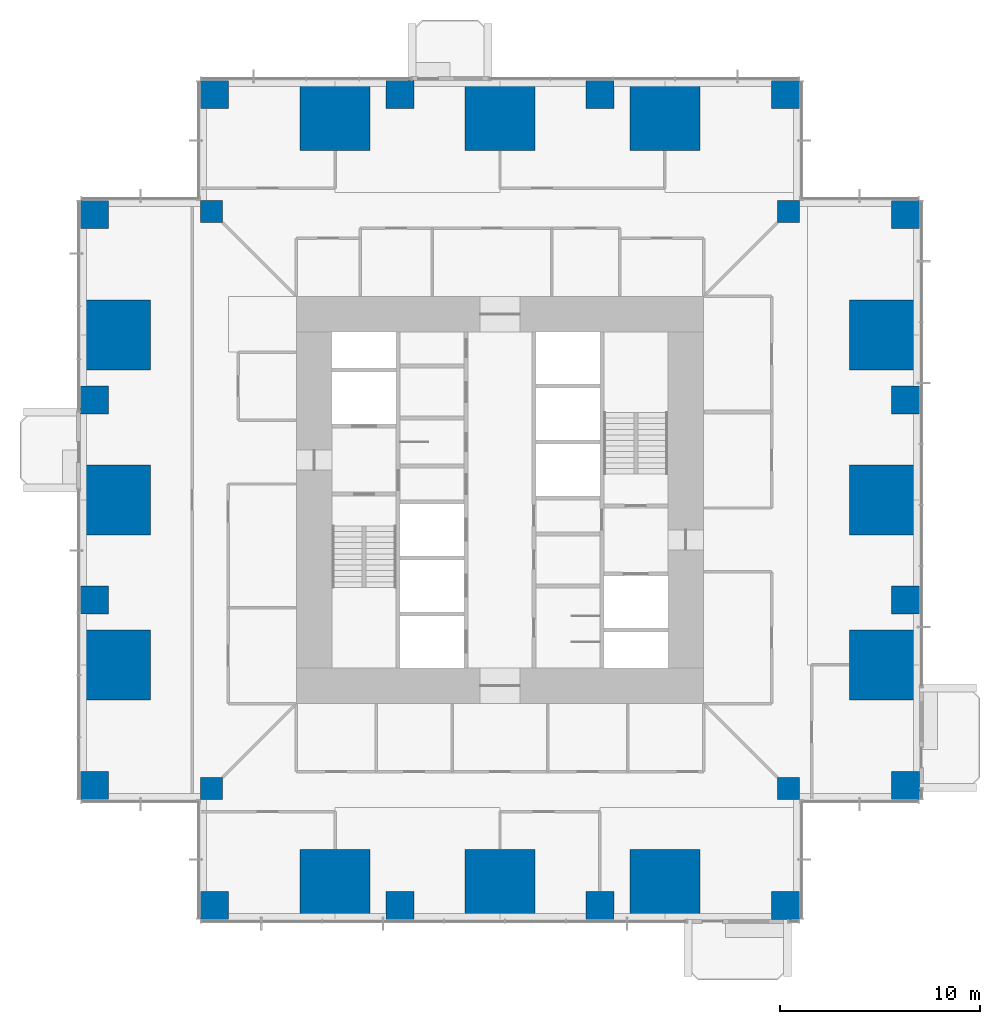
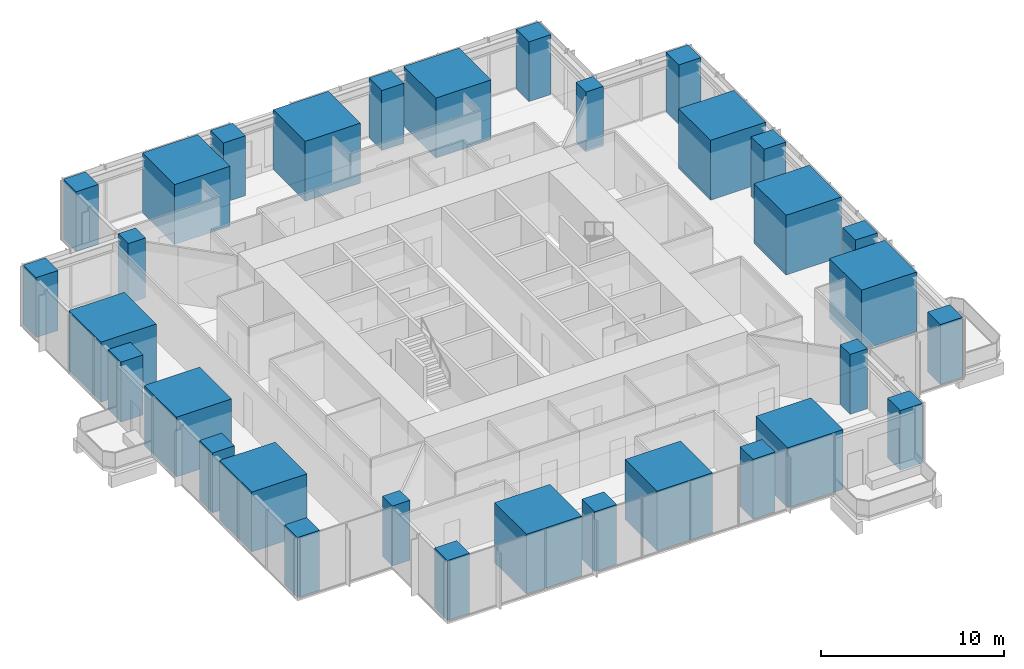
# One storey, part 1 of 15: 32 columns.
"""IFC4 building model written with IfcOpenShell, lengths in metres."""

import ifcopenshell
import ifcopenshell.guid

model = None  # the IFC model being written
_history = None  # IfcOwnerHistory: only IFC2X3 demands one
_inside = {}  # id of a spatial element -> (the spatial element, [elements in it])
_under = {}  # id of a project, library or spatial element -> (it, [spatial elements below it])
_declared = {}  # id of a project -> (the project, [libraries it declares])
_typed = {}  # id of a type object -> (the type object, [elements of that type])
_made_of = {}  # id of a material, layer set ... -> (it, [elements and type objects made of it])


def new_model(schema):
    """Start an empty IFC model of exactly this schema.

    Asked for "IFC4X3", IfcOpenShell would pick the latest addendum, in which some entities
    have other attributes; the version numbers below select the first issue.
    IFC2X3 requires an IfcOwnerHistory on every rooted entity: one is made here for all.
    """
    global model, _history
    if schema == "IFC4X3":
        model = ifcopenshell.file(schema_version=(4, 3, 0, 0))
    else:
        model = ifcopenshell.file(schema=schema)
    _inside.clear()
    _under.clear()
    _declared.clear()
    _typed.clear()
    _made_of.clear()
    _history = None
    if model.schema == "IFC2X3":
        org = make("IfcOrganization", Name="unknown")
        user = make(
            "IfcPersonAndOrganization",
            ThePerson=make("IfcPerson", FamilyName="unknown"),
            TheOrganization=org,
        )
        app = make(
            "IfcApplication",
            ApplicationDeveloper=org,
            Version="unknown",
            ApplicationFullName="unknown",
            ApplicationIdentifier="unknown",
        )
        _history = make(
            "IfcOwnerHistory",
            OwningUser=user,
            OwningApplication=app,
            ChangeAction="ADDED",
            CreationDate=0,
        )
    return model


def make(cls, **values):
    """One entity of the class cls with the attributes given. An attribute that is None is left unset."""
    return model.create_entity(
        cls, **{name: value for name, value in values.items() if value is not None}
    )


def rooted(cls, **values):
    """An entity with a GlobalId (a new one), such as an element, a storey or a relation."""
    return make(cls, GlobalId=ifcopenshell.guid.new(), OwnerHistory=_history, **values)


def si_unit(unit_type, name, prefix=None):
    """IfcSIUnit, for example si_unit("LENGTHUNIT", "METRE", prefix="MILLI")."""
    return make("IfcSIUnit", UnitType=unit_type, Prefix=prefix, Name=name)


def assignment(units):
    """IfcUnitAssignment: the units of a project."""
    return None if units is None else make("IfcUnitAssignment", Units=units)


def point(xyz):
    """IfcCartesianPoint."""
    return None if xyz is None else make("IfcCartesianPoint", Coordinates=xyz)


def direction(xyz):
    """IfcDirection."""
    return None if xyz is None else make("IfcDirection", DirectionRatios=xyz)


def frame(location, z_axis=None, x_axis=None):
    """IfcAxis2Placement3D, a coordinate frame: its origin and axes. An axis left out is left unset."""
    return make(
        "IfcAxis2Placement3D",
        Location=point(location),
        Axis=direction(z_axis),
        RefDirection=direction(x_axis),
    )


def frame_2d(location, x_axis=None):
    """IfcAxis2Placement2D, a coordinate frame in the plane: its origin and x axis."""
    return make(
        "IfcAxis2Placement2D", Location=point(location), RefDirection=direction(x_axis)
    )


def origin():
    """The frame at (0, 0, 0) with its axes left unset."""
    return frame((0.0, 0.0, 0.0))


def origin_2d():
    """The frame at (0, 0) in the plane with its x axis left unset."""
    return frame_2d((0.0, 0.0))


def place(relative_to, where):
    """IfcLocalPlacement: puts the frame where relative to a parent placement (None: the world)."""
    return make(
        "IfcLocalPlacement", PlacementRelTo=relative_to, RelativePlacement=where
    )


def context(
    kind, dimensions, precision=None, world=None, true_north=None, identifier=None
):
    """IfcGeometricRepresentationContext, for example the 3D "Model" context."""
    return make(
        "IfcGeometricRepresentationContext",
        ContextIdentifier=identifier,
        ContextType=kind,
        CoordinateSpaceDimension=dimensions,
        Precision=precision,
        WorldCoordinateSystem=world,
        TrueNorth=true_north,
    )


def subcontext(parent, identifier, kind, view, scale=None):
    """IfcGeometricRepresentationSubContext, for example "Body" below "Model"."""
    return make(
        "IfcGeometricRepresentationSubContext",
        ContextIdentifier=identifier,
        ContextType=kind,
        ParentContext=parent,
        TargetScale=scale,
        TargetView=view,
    )


def project(units=None, contexts=None):
    """IfcProject with its units and contexts."""
    return rooted(
        "IfcProject",
        Name="project",
        RepresentationContexts=contexts,
        UnitsInContext=assignment(units),
    )


def spatial(cls, under=None, at=None, **own):
    """A site, building, storey or space (cls), placed at a placement, below another one or the project."""
    s = rooted(cls, ObjectPlacement=at, **own)
    if under is not None:
        _under.setdefault(under.id(), (under, []))[1].append(s)
    return s


def profile(cls, at=None, kind="AREA", **sizes):
    """A parametric profile (cls). Its sizes go by their IFC names, for example OverallWidth=200.0."""
    return make(cls, ProfileType=kind, Position=at, **sizes)


def rectangle(**sizes):
    """IfcRectangleProfileDef."""
    return profile("IfcRectangleProfileDef", **sizes)


def extrude(swept, where, along, depth):
    """IfcExtrudedAreaSolid: the profile swept, set in the frame where, extruded along a direction by depth."""
    return make(
        "IfcExtrudedAreaSolid",
        SweptArea=swept,
        Position=where,
        ExtrudedDirection=direction(along),
        Depth=depth,
    )


def shape(context_of_items, identifier, shape_type, items):
    """IfcShapeRepresentation: the items that make up one representation, for example the "Body"."""
    return make(
        "IfcShapeRepresentation",
        ContextOfItems=context_of_items,
        RepresentationIdentifier=identifier,
        RepresentationType=shape_type,
        Items=items,
    )


def material(Name=None, Category=None):
    """IfcMaterial."""
    return make("IfcMaterial", Name=Name, Category=Category)


def material_profile(
    of_material, cross_section, Name=None, Category=None, Priority=None
):
    """IfcMaterialProfile: a cross section and its material."""
    return make(
        "IfcMaterialProfile",
        Name=Name,
        Material=of_material,
        Profile=cross_section,
        Priority=Priority,
        Category=Category,
    )


def profile_set(profiles, Name=None, composite=None):
    """IfcMaterialProfileSet."""
    return make(
        "IfcMaterialProfileSet",
        Name=Name,
        MaterialProfiles=profiles,
        CompositeProfile=composite,
    )


def made_of(thing, what):
    """Note that an element or type object is made of a material, layer set ...; save() writes the relation."""
    if what is not None:
        _made_of.setdefault(what.id(), (what, []))[1].append(thing)
    return thing


def type_object(cls, material=None, **own):
    """A type object (cls), such as IfcWallType, which elements share."""
    return made_of(rooted(cls, **own), material)


def element(
    cls,
    number,
    at=None,
    inside=None,
    cuts=None,
    type_object=None,
    material=None,
    context=None,
    identifier="Body",
    shape_type=None,
    held_by="IfcProductDefinitionShape",
    body=None,
    shapes=None,
    **own,
):
    """One element of the class cls, such as IfcWall. Its Tag is "e" and its number.

    at: its placement. inside: the storey or other place that contains it. cuts: it is an
    opening in that element (IfcRelVoidsElement). A single representation is given by context,
    identifier, shape_type and body (its items); several are given by shapes. held_by: the class
    of the entity that holds the representations. save() writes the other relations.
    """
    e = rooted(cls, Tag="e%d" % number, ObjectPlacement=at, **own)
    if body is not None:
        shapes = [shape(context, identifier, shape_type, body)]
    if shapes is not None:
        e.Representation = make(held_by, Representations=shapes)
    if inside is not None:
        _inside.setdefault(inside.id(), (inside, []))[1].append(e)
    if cuts is not None:
        rooted(
            "IfcRelVoidsElement", RelatingBuildingElement=cuts, RelatedOpeningElement=e
        )
    if type_object is not None:
        _typed.setdefault(type_object.id(), (type_object, []))[1].append(e)
    return made_of(e, material)


def aggregate(whole, parts):
    """IfcRelAggregates: a whole, such as a stair, and the parts it consists of."""
    return rooted("IfcRelAggregates", RelatingObject=whole, RelatedObjects=parts)


def save(model, path):
    """Write the relations noted so far, then the file.

    IfcRelAggregates (storeys below a building ...), IfcRelContainedInSpatialStructure (elements
    in a storey), IfcRelDefinesByType, IfcRelAssociatesMaterial and IfcRelDeclares: one each for
    every whole, place, type object, material and project.
    """
    for whole, parts in _under.values():
        aggregate(whole, parts)
    for where, things in _inside.values():
        rooted(
            "IfcRelContainedInSpatialStructure",
            RelatedElements=things,
            RelatingStructure=where,
        )
    for kind, things in _typed.values():
        rooted("IfcRelDefinesByType", RelatedObjects=things, RelatingType=kind)
    for what, things in _made_of.values():
        rooted("IfcRelAssociatesMaterial", RelatedObjects=things, RelatingMaterial=what)
    for by, libraries in _declared.values():
        rooted("IfcRelDeclares", RelatingContext=by, RelatedDefinitions=libraries)
    model.write(path)


model = new_model("IFC4")

# Units and contexts
model_context = context("Model", 3, precision=1e-05, world=origin(), true_north=direction((0.0, 1.0)))
body_context = subcontext(model_context, "Body", "Model", "MODEL_VIEW")
ifc_project = project(units=[si_unit("LENGTHUNIT", "METRE"), si_unit("AREAUNIT", "SQUARE_METRE"), si_unit("VOLUMEUNIT", "CUBIC_METRE"), si_unit("PLANEANGLEUNIT", "RADIAN"), si_unit("MASSUNIT", "GRAM", prefix="KILO")], contexts=[model_context])

# Site, building, storey
site_placement = place(None, origin())
site = spatial("IfcSite", under=ifc_project, at=site_placement, CompositionType="ELEMENT")
building_placement = place(site_placement, origin())
building = spatial("IfcBuilding", under=site, at=building_placement, Name="Svetlomir Tower", CompositionType="ELEMENT")
storey_placement = place(building_placement, frame((0.0, 0.0, 42.5)))
storey = spatial("IfcBuildingStorey", under=building, at=storey_placement, Name="L09", CompositionType="ELEMENT", Elevation=42.5)

# Columns
ifc_material_1 = material(Name="Concrete C60/75", Category="concrete")
ifc_material_profile_1 = material_profile(ifc_material_1, rectangle(XDim=1.10009765625, YDim=1.10009765625, at=origin_2d()), Name="RC 1100x1100")
ifc_profile_set_1 = profile_set([ifc_material_profile_1], Name="Concrete C60/75")
column_type_1 = type_object("IfcColumnType", Name="COLUMN RC 1100x1100", PredefinedType="COLUMN", material=ifc_profile_set_1)
for number, where, z_axis, x_axis, name in (
    (1, (6.550048828125, 6.550048828125, 0.0), (0.0, 0.0, 1.0), (1.0, 0.0, 0.0), "Column 6/6 L09"),
    (2, (35.449951171875, 6.550048828125, 0.0), (0.0, 0.0, 1.0), (1.0, 0.0, 0.0), "Column 36/6 L09"),
    (3, (6.550048828125, 35.449951171875, 0.0), (0.0, 0.0, 1.0), (1.0, 0.0, 0.0), "Column 6/36 L09"),
    (4, (35.449951171875, 35.449951171875, 0.0), (0.0, 0.0, 1.0), (1.0, 0.0, 0.0), "Column 36/36 L09"),
):
    element("IfcColumn", number, at=place(storey_placement, frame(where, z_axis=z_axis, x_axis=x_axis)), inside=storey, type_object=column_type_1, Name=name, PredefinedType="COLUMN", context=body_context, shape_type="SweptSolid", body=[
        extrude(rectangle(XDim=1.10009765625, YDim=1.10009765625, at=origin_2d()), origin(), (0.0, 0.0, 1.0), 4.0),
    ])
ifc_material_2 = material(Name="Concrete C60/75", Category="concrete")
ifc_material_profile_2 = material_profile(ifc_material_2, rectangle(XDim=1.39990234375, YDim=1.39990234375, at=origin_2d()), Name="RC 1400x1400")
ifc_profile_set_2 = profile_set([ifc_material_profile_2], Name="Concrete C60/75")
column_type_2 = type_object("IfcColumnType", Name="COLUMN RC 1400x1400", PredefinedType="COLUMN", material=ifc_profile_set_2)
for number, where, z_axis, x_axis, name in (
    (5, (6.699951171875, 0.699951171875, 0.0), (0.0, 0.0, 1.0), (1.0, 0.0, 0.0), "Column 6/0 L09"),
    (6, (16.0, 0.699951171875, 0.0), (0.0, 0.0, 1.0), (1.0, 0.0, 0.0), "Column 16/0 L09"),
    (7, (26.0, 0.699951171875, 0.0), (0.0, 0.0, 1.0), (1.0, 0.0, 0.0), "Column 26/0 L09"),
    (8, (35.300048828125, 0.699951171875, 0.0), (0.0, 0.0, 1.0), (1.0, 0.0, 0.0), "Column 36/0 L09"),
    (9, (0.699951171875, 6.699951171875, 0.0), (0.0, 0.0, 1.0), (1.0, 0.0, 0.0), "Column 0/6 L09"),
    (10, (41.300048828125, 6.699951171875, 0.0), (0.0, 0.0, 1.0), (1.0, 0.0, 0.0), "Column 42/6 L09"),
    (11, (0.699951171875, 16.0, 0.0), (0.0, 0.0, 1.0), (1.0, 0.0, 0.0), "Column 0/16 L09"),
    (12, (41.300048828125, 16.0, 0.0), (0.0, 0.0, 1.0), (1.0, 0.0, 0.0), "Column 42/16 L09"),
    (13, (0.699951171875, 26.0, 0.0), (0.0, 0.0, 1.0), (1.0, 0.0, 0.0), "Column 0/26 L09"),
    (14, (41.300048828125, 26.0, 0.0), (0.0, 0.0, 1.0), (1.0, 0.0, 0.0), "Column 42/26 L09"),
    (15, (0.699951171875, 35.300048828125, 0.0), (0.0, 0.0, 1.0), (1.0, 0.0, 0.0), "Column 0/36 L09"),
    (16, (41.300048828125, 35.300048828125, 0.0), (0.0, 0.0, 1.0), (1.0, 0.0, 0.0), "Column 42/36 L09"),
    (17, (6.699951171875, 41.300048828125, 0.0), (0.0, 0.0, 1.0), (1.0, 0.0, 0.0), "Column 6/42 L09"),
    (18, (16.0, 41.300048828125, 0.0), (0.0, 0.0, 1.0), (1.0, 0.0, 0.0), "Column 16/42 L09"),
    (19, (26.0, 41.300048828125, 0.0), (0.0, 0.0, 1.0), (1.0, 0.0, 0.0), "Column 26/42 L09"),
    (20, (35.300048828125, 41.300048828125, 0.0), (0.0, 0.0, 1.0), (1.0, 0.0, 0.0), "Column 36/42 L09"),
):
    element("IfcColumn", number, at=place(storey_placement, frame(where, z_axis=z_axis, x_axis=x_axis)), inside=storey, type_object=column_type_2, Name=name, PredefinedType="COLUMN", context=body_context, shape_type="SweptSolid", body=[
        extrude(rectangle(XDim=1.39990234375, YDim=1.39990234375, at=origin_2d()), origin(), (0.0, 0.0, 1.0), 4.0),
    ])
ifc_material_3 = material(Name="Concrete C60/75", Category="concrete")
ifc_material_profile_3 = material_profile(ifc_material_3, rectangle(XDim=3.5, YDim=3.5, at=origin_2d()), Name="RC 3500x3500")
ifc_profile_set_3 = profile_set([ifc_material_profile_3], Name="Concrete C60/75")
column_type_3 = type_object("IfcColumnType", Name="COLUMN RC 3500x3500", PredefinedType="COLUMN", material=ifc_profile_set_3)
for number, where, z_axis, x_axis, name in (
    (21, (12.75, 1.75, 0.0), (0.0, 0.0, 1.0), (1.0, 0.0, 0.0), "Column 11/0 L09"),
    (22, (21.0, 1.75, 0.0), (0.0, 0.0, 1.0), (1.0, 0.0, 0.0), "Column 21/0 L09"),
    (23, (29.25, 1.75, 0.0), (0.0, 0.0, 1.0), (1.0, 0.0, 0.0), "Column 31/0 L09"),
    (24, (1.75, 12.75, 0.0), (0.0, 0.0, 1.0), (1.0, 0.0, 0.0), "Column 0/11 L09"),
    (25, (40.25, 12.75, 0.0), (0.0, 0.0, 1.0), (1.0, 0.0, 0.0), "Column 42/11 L09"),
    (26, (1.75, 21.0, 0.0), (0.0, 0.0, 1.0), (1.0, 0.0, 0.0), "Column 0/21 L09"),
    (27, (40.25, 21.0, 0.0), (0.0, 0.0, 1.0), (1.0, 0.0, 0.0), "Column 42/21 L09"),
    (28, (1.75, 29.25, 0.0), (0.0, 0.0, 1.0), (1.0, 0.0, 0.0), "Column 0/31 L09"),
    (29, (40.25, 29.25, 0.0), (0.0, 0.0, 1.0), (1.0, 0.0, 0.0), "Column 42/31 L09"),
    (30, (12.75, 40.25, 0.0), (0.0, 0.0, 1.0), (1.0, 0.0, 0.0), "Column 11/42 L09"),
    (31, (21.0, 40.25, 0.0), (0.0, 0.0, 1.0), (1.0, 0.0, 0.0), "Column 21/42 L09"),
    (32, (29.25, 40.25, 0.0), (0.0, 0.0, 1.0), (1.0, 0.0, 0.0), "Column 31/42 L09"),
):
    element("IfcColumn", number, at=place(storey_placement, frame(where, z_axis=z_axis, x_axis=x_axis)), inside=storey, type_object=column_type_3, Name=name, PredefinedType="COLUMN", context=body_context, shape_type="SweptSolid", body=[
        extrude(rectangle(XDim=3.5, YDim=3.5, at=origin_2d()), origin(), (0.0, 0.0, 1.0), 4.0),
    ])

save(model, "model.ifc")
